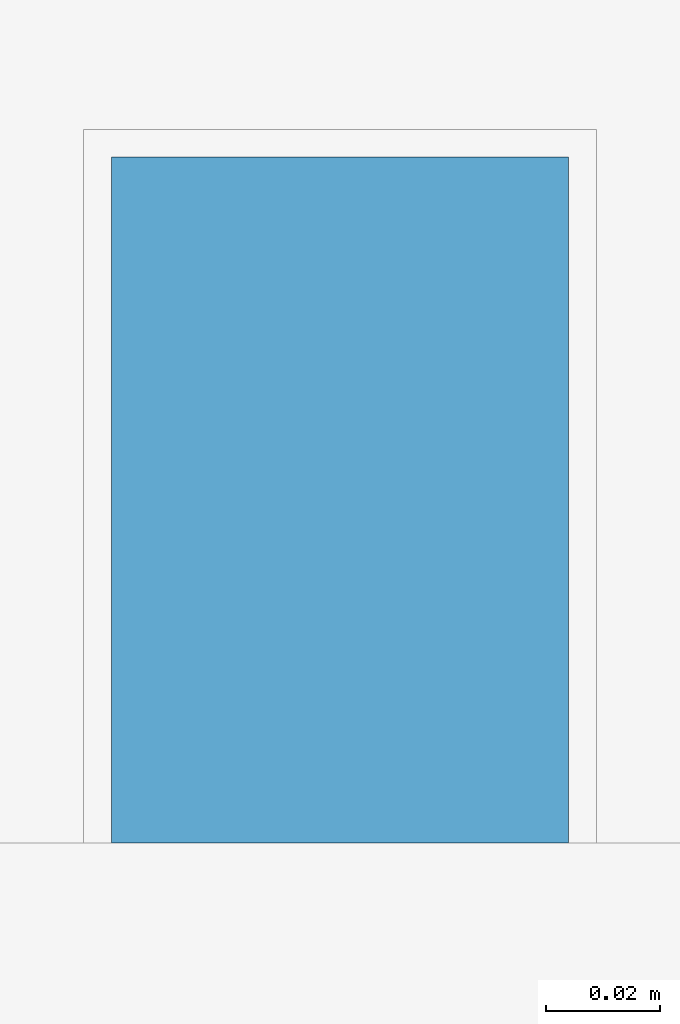
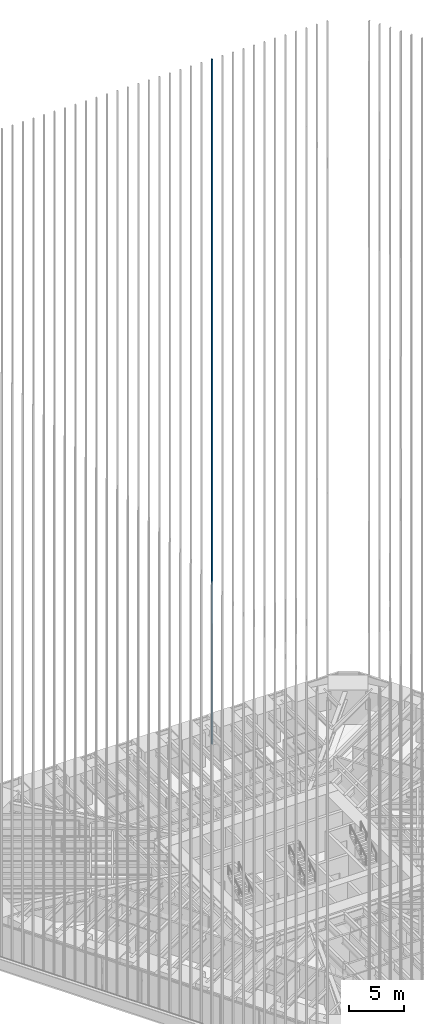
# One storey, part 204 of 238: 1 member, 1 element without a shape of its own.
"""IFC4 building model written with IfcOpenShell, lengths in metres."""

from ifc_helpers import new_model, si_unit, direction, frame, origin, origin_2d, place, context, subcontext, project, spatial, rectangle, extrude, material, material_profile, profile_set, type_object, element, aggregate, save


model = new_model("IFC4")

# Units and contexts
model_context = context("Model", 3, precision=1e-05, world=origin(), true_north=direction((0.0, 1.0)))
body_context = subcontext(model_context, "Body", "Model", "MODEL_VIEW")
ifc_project = project(units=[si_unit("LENGTHUNIT", "METRE"), si_unit("AREAUNIT", "SQUARE_METRE"), si_unit("VOLUMEUNIT", "CUBIC_METRE"), si_unit("PLANEANGLEUNIT", "RADIAN"), si_unit("MASSUNIT", "GRAM", prefix="KILO")], contexts=[model_context])

# Site, building, storey
site_placement = place(None, origin())
site = spatial("IfcSite", under=ifc_project, at=site_placement, CompositionType="ELEMENT")
building_placement = place(site_placement, origin())
building = spatial("IfcBuilding", under=site, at=building_placement, Name="Sandreach Pilgrim Tower", CompositionType="ELEMENT")
storey_placement = place(building_placement, frame((0.0, 0.0, 96.800048828125)))
storey = spatial("IfcBuildingStorey", under=building, at=storey_placement, Name="L23", CompositionType="ELEMENT", Elevation=96.800048828125)

# Curtain wall, member
ifc_material_1 = material(Name="Aluminium framed curtain wall", Category="aluminium")
curtain_wall_type = type_object("IfcCurtainWallType", Name="Hotel tower curtain wall", PredefinedType="NOTDEFINED", material=ifc_material_1)
curtain_wall_placement = place(storey_placement, origin())
curtain_wall = element("IfcCurtainWall", 1, at=curtain_wall_placement, inside=storey, type_object=curtain_wall_type, Name="CW-2 L23 N", PredefinedType="NOTDEFINED")
ifc_material_2 = material(Name="Extruded terracotta on aluminium core", Category="masonry")
ifc_material_profile = material_profile(ifc_material_2, rectangle(XDim=0.080078125, YDim=0.1201171875, at=origin_2d()), Name="TBN 80X120")
ifc_profile_set = profile_set([ifc_material_profile], Name="Extruded terracotta on aluminium core")
member_type = type_object("IfcMemberType", Name="Terracotta baguette north", PredefinedType="USERDEFINED", material=ifc_profile_set)
member_placement = place(storey_placement, frame((5.496826171875, 22.853759765625, 0.0), z_axis=(0.0, 0.0, 1.0), x_axis=(1.0, 0.0, 0.0)))
member = element("IfcMember", 2, at=member_placement, type_object=member_type, Name="Baguette Z2 N22", ObjectType="BAGUETTE", PredefinedType="USERDEFINED", context=body_context, shape_type="SweptSolid", body=[
    extrude(rectangle(XDim=0.080078125, YDim=0.1201171875, at=origin_2d()), origin(), (0.0, 0.0, 1.0), 75.83984375),
])
aggregate(curtain_wall, [member])

save(model, "model.ifc")
